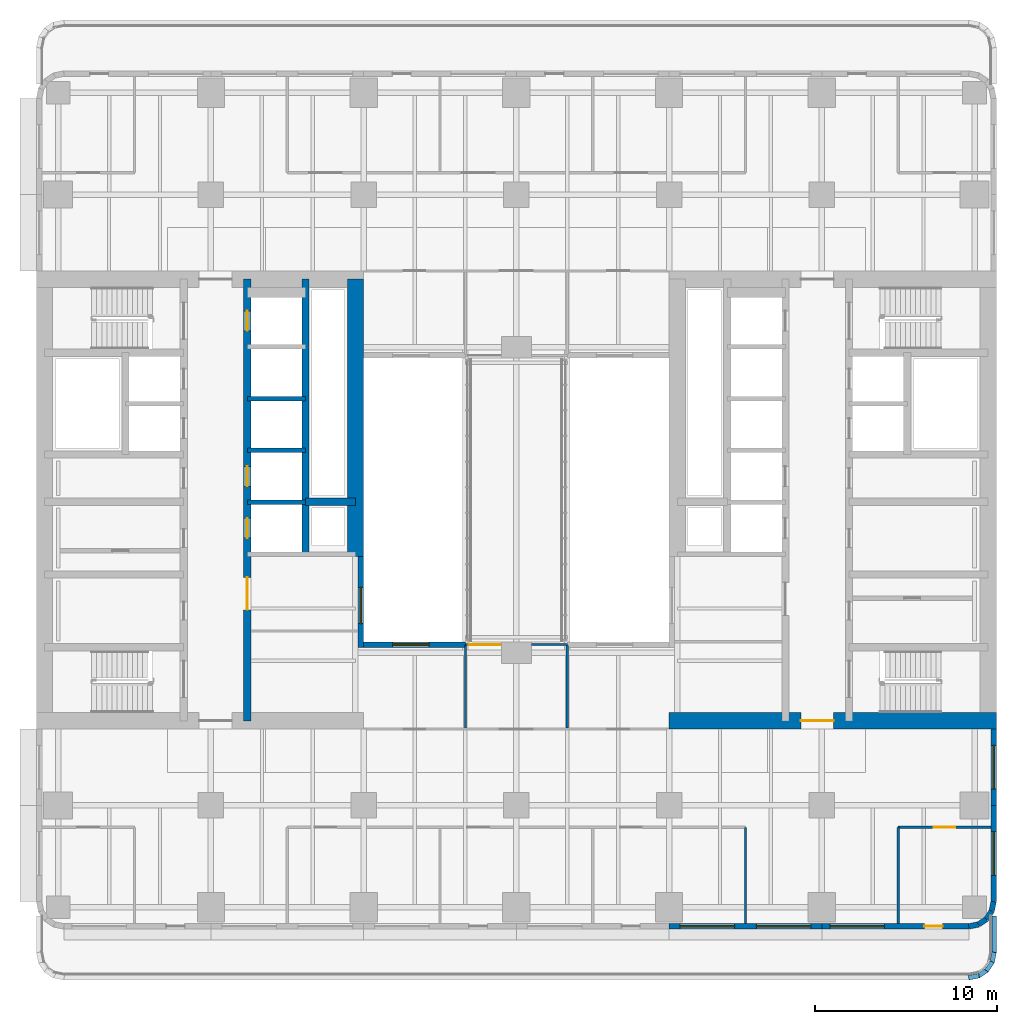
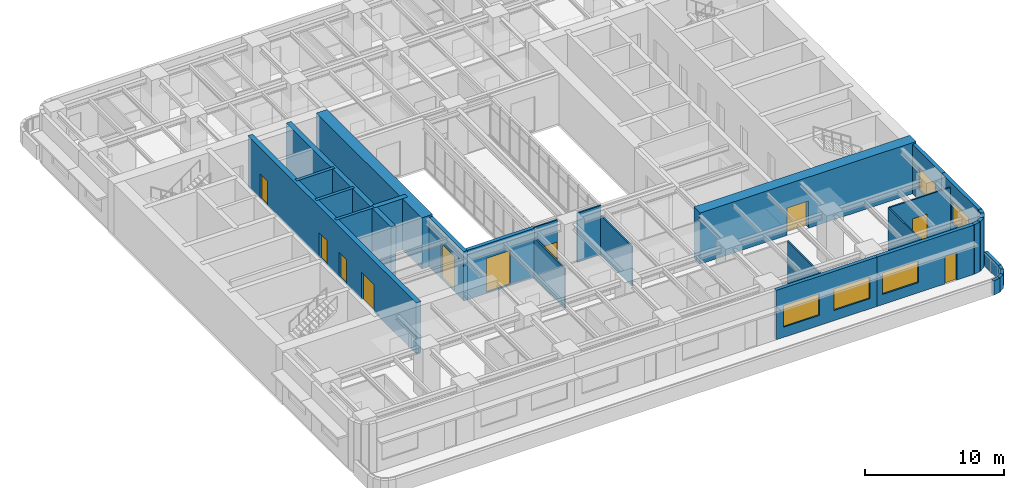
# One storey, part 9 of 17: 30 walls, 8 doors, 7 windows, 15 openings.
"""IFC4 building model written with IfcOpenShell, lengths in metres."""

from ifc_helpers import new_model, si_unit, direction, frame, frame_2d, origin, place, context, subcontext, project, spatial, rectangle, extrude, material, layer, layer_set, type_object, element, fill, save


model = new_model("IFC4")

# Units and contexts
model_context = context("Model", 3, precision=1e-05, world=origin(), true_north=direction((0.0, 1.0)))
body_context = subcontext(model_context, "Body", "Model", "MODEL_VIEW")
ifc_project = project(units=[si_unit("LENGTHUNIT", "METRE"), si_unit("AREAUNIT", "SQUARE_METRE"), si_unit("VOLUMEUNIT", "CUBIC_METRE"), si_unit("PLANEANGLEUNIT", "RADIAN"), si_unit("MASSUNIT", "GRAM", prefix="KILO")], contexts=[model_context])

# Site, building, storey
site_placement = place(None, origin())
site = spatial("IfcSite", under=ifc_project, at=site_placement, CompositionType="ELEMENT")
building_placement = place(site_placement, origin())
building = spatial("IfcBuilding", under=site, at=building_placement, Name="Claustro Exchange Tower", CompositionType="ELEMENT")
storey_placement = place(building_placement, frame((0.0, 0.0, 96.300048828125)))
storey = spatial("IfcBuildingStorey", under=building, at=storey_placement, Name="L21", CompositionType="ELEMENT", Elevation=96.300048828125)

# Wall, opening, door
ifc_material_1 = material(Name="Aluminium frame, clear double glazing", Category="aluminium")
ifc_layer_1 = layer(ifc_material_1, 0.1201171875)
ifc_layer_set_1 = layer_set([ifc_layer_1], Name="Aluminium frame, clear double glazing")
wall_type_1 = type_object("IfcWallType", Name="GS2 120 glazed bridge screen", PredefinedType="SOLIDWALL", material=ifc_layer_set_1)
wall_1_placement = place(storey_placement, frame((22.39990234375, 17.25, 0.0), z_axis=(0.0, 0.0, 1.0), x_axis=(1.0, 0.0, 0.0)))
wall_1 = element("IfcWall", 1, at=wall_1_placement, inside=storey, type_object=wall_type_1, Name="Bridge screen GS2 L21", PredefinedType="SOLIDWALL", context=body_context, shape_type="SweptSolid", body=[
    extrude(rectangle(XDim=1.97509765625, YDim=0.1201171875, at=frame_2d((0.987548828125, 0.0))), origin(), (0.0, 0.0, 1.0), 4.349853515625),
])
opening_1_placement = place(wall_1_placement, frame((0.14990234375, 0.0, 0.0)))
opening_1 = element("IfcOpeningElement", 2, at=opening_1_placement, cuts=wall_1, Name="Opening DE4", PredefinedType="OPENING", context=body_context, shape_type="SweptSolid", body=[
    extrude(rectangle(XDim=1.800048828125, YDim=2.39990234375, at=frame_2d((0.89990234375, 1.199951171875))), frame((0.0, 0.070068359375, 0.0), z_axis=(0.0, -1.0, 0.0), x_axis=(1.0, 0.0, 0.0)), (0.0, 0.0, 1.0), 0.14013671875),
])
ifc_material_2 = material(Name="Aluminium frame, clear double glazing", Category="aluminium")
door_type_1 = type_object("IfcDoorType", Name="DE4 1800 x 2400 sky bridge glazed double door", OperationType="DOUBLE_DOOR_SINGLE_SWING", PredefinedType="DOOR", material=ifc_material_2)
door_1_placement = place(opening_1_placement, origin())
door_1 = element("IfcDoor", 3, at=door_1_placement, inside=storey, type_object=door_type_1, Name="Sky bridge door DE4 L21", OperationType="DOUBLE_DOOR_SINGLE_SWING", OverallHeight=2.39990234375, OverallWidth=1.800048828125, PredefinedType="DOOR", context=body_context, shape_type="SweptSolid", body=[
    extrude(rectangle(XDim=1.800048828125, YDim=2.39990234375, at=frame_2d((0.89990234375, 1.199951171875))), frame((0.0, 0.02490234375, 0.0), z_axis=(0.0, -1.0, 0.0), x_axis=(1.0, 0.0, 0.0)), (0.0, 0.0, 1.0), 0.050048828125),
])
fill(opening_1, door_1)

# Walls
wall_2_placement = place(storey_placement, frame((26.02490234375, 17.25, 0.0), z_axis=(0.0, 0.0, 1.0), x_axis=(1.0, 0.0, 0.0)))
element("IfcWall", 4, at=wall_2_placement, inside=storey, type_object=wall_type_1, Name="Bridge screen GS2 L21", PredefinedType="SOLIDWALL", context=body_context, shape_type="SweptSolid", body=[
    extrude(rectangle(XDim=1.97509765625, YDim=0.1201171875, at=frame_2d((0.987548828125, 0.0))), origin(), (0.0, 0.0, 1.0), 4.349853515625),
])
ifc_material_3 = material(Name="Laminated glass in aluminium frame", Category="aluminium")
ifc_layer_2 = layer(ifc_material_3, 0.1201171875)
ifc_layer_set_2 = layer_set([ifc_layer_2], Name="Laminated glass in aluminium frame")
wall_type_2 = type_object("IfcWallType", Name="P2 120 glazed partition", PredefinedType="PARTITIONING", material=ifc_layer_set_2)
wall_3_placement = place(storey_placement, frame((37.800048828125, 1.89794921875, 0.0), z_axis=(0.0, 0.0, 1.0), x_axis=(0.0, 1.0, 0.0)))
element("IfcWall", 5, at=wall_3_placement, inside=storey, type_object=wall_type_2, Name="Partition P2 L21", PredefinedType="PARTITIONING", context=body_context, shape_type="SweptSolid", body=[
    extrude(rectangle(XDim=5.302001953125, YDim=0.1201171875, at=frame_2d((2.65087890625, 0.0))), origin(), (0.0, 0.0, 1.0), 3.85986328125),
])

# Wall, opening, door
wall_4_placement = place(storey_placement, frame((46.199951171875, 7.199951171875, 0.0), z_axis=(0.0, 0.0, 1.0), x_axis=(1.0, 0.0, 0.0)))
wall_4 = element("IfcWall", 6, at=wall_4_placement, inside=storey, type_object=wall_type_2, Name="Partition P2 L21", PredefinedType="PARTITIONING", context=body_context, shape_type="SweptSolid", body=[
    extrude(rectangle(XDim=5.10205078125, YDim=0.1201171875, at=frame_2d((2.551025390625, 0.0))), origin(), (0.0, 0.0, 1.0), 3.85986328125),
])
opening_2_placement = place(wall_4_placement, frame((1.949951171875, 0.0, 0.0)))
opening_2 = element("IfcOpeningElement", 7, at=opening_2_placement, cuts=wall_4, Name="Opening D6", PredefinedType="OPENING", context=body_context, shape_type="SweptSolid", body=[
    extrude(rectangle(XDim=1.199951171875, YDim=2.199951171875, at=frame_2d((0.60009765625, 1.10009765625))), frame((0.0, 0.070068359375, 0.0), z_axis=(0.0, -1.0, 0.0), x_axis=(1.0, 0.0, 0.0)), (0.0, 0.0, 1.0), 0.14013671875),
])
ifc_material_4 = material(Name="Timber door, oak veneer", Category="wood")
door_type_2 = type_object("IfcDoorType", Name="D6 1200 x 2200 unequal pair door", OperationType="DOUBLE_DOOR_SINGLE_SWING_OPPOSITE_LEFT", PredefinedType="DOOR", material=ifc_material_4)
door_2_placement = place(opening_2_placement, origin())
door_2 = element("IfcDoor", 8, at=door_2_placement, inside=storey, type_object=door_type_2, Name="Door D6 L21", OperationType="DOUBLE_DOOR_SINGLE_SWING_OPPOSITE_LEFT", OverallHeight=2.199951171875, OverallWidth=1.199951171875, PredefinedType="DOOR", context=body_context, shape_type="SweptSolid", body=[
    extrude(rectangle(XDim=1.199951171875, YDim=2.199951171875, at=frame_2d((0.60009765625, 1.10009765625))), frame((0.0, 0.02490234375, 0.0), z_axis=(0.0, -1.0, 0.0), x_axis=(1.0, 0.0, 0.0)), (0.0, 0.0, 1.0), 0.050048828125),
])
fill(opening_2, door_2)

# Walls
wall_5_placement = place(storey_placement, frame((46.199951171875, 1.89794921875, 0.0), z_axis=(0.0, 0.0, 1.0), x_axis=(0.0, 1.0, 0.0)))
element("IfcWall", 9, at=wall_5_placement, inside=storey, type_object=wall_type_2, Name="Partition P2 L21", PredefinedType="PARTITIONING", context=body_context, shape_type="SweptSolid", body=[
    extrude(rectangle(XDim=5.302001953125, YDim=0.1201171875, at=frame_2d((2.65087890625, 0.0))), origin(), (0.0, 0.0, 1.0), 3.85986328125),
])
for number, where, z_axis, x_axis, name in (
    (10, (22.39990234375, 12.657958984375, 0.0), (0.0, 0.0, 1.0), (0.0, 1.0, 0.0), "Partition P2 L21"),
    (11, (28.0, 12.657958984375, 0.0), (0.0, 0.0, 1.0), (0.0, 1.0, 0.0), "Partition P2 L21"),
):
    element("IfcWall", number, at=place(storey_placement, frame(where, z_axis=z_axis, x_axis=x_axis)), inside=storey, type_object=wall_type_2, Name=name, PredefinedType="PARTITIONING", context=body_context, shape_type="SweptSolid", body=[
        extrude(rectangle(XDim=4.533935546875, YDim=0.1201171875, at=frame_2d((2.26708984375, 0.0))), origin(), (0.0, 0.0, 1.0), 3.5),
    ])

# Wall, openings, door, window
ifc_material_5 = material(Name="Concrete HA-40 (C40/50), precast, white cement, acid-etched", Category="concrete")
ifc_layer_3 = layer(ifc_material_5, 0.300048828125)
ifc_layer_set_3 = layer_set([ifc_layer_3], Name="Concrete HA-40 (C40/50), precast, white cement, acid-etched")
wall_type_3 = type_object("IfcWallType", Name="PC1 300 precast concrete pier panel", PredefinedType="SOLIDWALL", material=ifc_layer_set_3)
wall_6_placement = place(storey_placement, frame((50.085205078125, 1.75, 0.0), z_axis=(0.0, 0.0, 1.0), x_axis=(-1.0, 0.0, 0.0)))
wall_6 = element("IfcWall", 12, at=wall_6_placement, inside=storey, type_object=wall_type_3, Name="Precast pier panel PC1 L21", PredefinedType="SOLIDWALL", context=body_context, shape_type="SweptSolid", body=[
    extrude(rectangle(XDim=8.085205078125, YDim=0.300048828125, at=frame_2d((4.04248046875, 0.0))), origin(), (0.0, 0.0, 1.0), 4.349853515625),
])
opening_3_placement = place(wall_6_placement, frame((4.642578125, 0.0, 0.89990234375)))
opening_3 = element("IfcOpeningElement", 13, at=opening_3_placement, cuts=wall_6, Name="Opening W1", PredefinedType="OPENING", context=body_context, shape_type="SweptSolid", body=[
    extrude(rectangle(XDim=3.0, YDim=1.89990234375, at=frame_2d((1.5, 0.949951171875))), frame((0.0, 0.159912109375, 0.0), z_axis=(0.0, -1.0, 0.0), x_axis=(1.0, 0.0, 0.0)), (0.0, 0.0, 1.0), 0.320068359375),
])
opening_4_placement = place(wall_6_placement, frame((1.442626953125, 0.0, 0.0)))
opening_4 = element("IfcOpeningElement", 14, at=opening_4_placement, cuts=wall_6, Name="Opening D-T", PredefinedType="OPENING", context=body_context, shape_type="SweptSolid", body=[
    extrude(rectangle(XDim=1.0, YDim=2.39990234375, at=frame_2d((0.5, 1.199951171875))), frame((0.0, 0.159912109375, 0.0), z_axis=(0.0, -1.0, 0.0), x_axis=(1.0, 0.0, 0.0)), (0.0, 0.0, 1.0), 0.320068359375),
])
ifc_material_6 = material(Name="Aluminium frame, clear double glazing", Category="aluminium")
door_type_3 = type_object("IfcDoorType", Name="D-T 1000 x 2400 terrace door", OperationType="SINGLE_SWING_LEFT", PredefinedType="DOOR", material=ifc_material_6)
door_3_placement = place(opening_4_placement, origin())
door_3 = element("IfcDoor", 15, at=door_3_placement, inside=storey, type_object=door_type_3, Name="Terrace door D-T L21", OperationType="SINGLE_SWING_LEFT", OverallHeight=2.39990234375, OverallWidth=1.0, PredefinedType="DOOR", context=body_context, shape_type="SweptSolid", body=[
    extrude(rectangle(XDim=1.0, YDim=2.39990234375, at=frame_2d((0.5, 1.199951171875))), frame((0.0, 0.02490234375, 0.0), z_axis=(0.0, -1.0, 0.0), x_axis=(1.0, 0.0, 0.0)), (0.0, 0.0, 1.0), 0.050048828125),
])
fill(opening_4, door_3)
ifc_material_7 = material(Name="Aluminium frame, clear double glazing", Category="aluminium")
window_type_1 = type_object("IfcWindowType", Name="W1 3000 x 1900 window", PartitioningType="SINGLE_PANEL", PredefinedType="WINDOW", material=ifc_material_7)
window_1_placement = place(opening_3_placement, origin())
window_1 = element("IfcWindow", 16, at=window_1_placement, inside=storey, type_object=window_type_1, Name="Window W1 L21", OverallHeight=1.89990234375, OverallWidth=3.0, PartitioningType="SINGLE_PANEL", PredefinedType="WINDOW", context=body_context, shape_type="SweptSolid", body=[
    extrude(rectangle(XDim=3.0, YDim=1.89990234375, at=frame_2d((1.5, 0.949951171875))), frame((0.0, 0.030029296875, 0.0), z_axis=(0.0, -1.0, 0.0), x_axis=(1.0, 0.0, 0.0)), (0.0, 0.0, 1.0), 0.06005859375),
])
fill(opening_3, window_1)

# Wall, openings, windows
wall_7_placement = place(storey_placement, frame((42.0, 1.75, 0.0), z_axis=(0.0, 0.0, 1.0), x_axis=(-1.0, 0.0, 0.0)))
wall_7 = element("IfcWall", 17, at=wall_7_placement, inside=storey, type_object=wall_type_3, Name="Precast pier panel PC1 L21", PredefinedType="SOLIDWALL", context=body_context, shape_type="SweptSolid", body=[
    extrude(rectangle(XDim=8.39990234375, YDim=0.300048828125, at=frame_2d((4.199951171875, 0.0))), origin(), (0.0, 0.0, 1.0), 4.349853515625),
])
opening_5_placement = place(wall_7_placement, frame((0.60009765625, 0.0, 0.89990234375)))
opening_5 = element("IfcOpeningElement", 18, at=opening_5_placement, cuts=wall_7, Name="Opening W1", PredefinedType="OPENING", context=body_context, shape_type="SweptSolid", body=[
    extrude(rectangle(XDim=3.0, YDim=1.89990234375, at=frame_2d((1.5, 0.949951171875))), frame((0.0, 0.159912109375, 0.0), z_axis=(0.0, -1.0, 0.0), x_axis=(1.0, 0.0, 0.0)), (0.0, 0.0, 1.0), 0.320068359375),
])
opening_6_placement = place(wall_7_placement, frame((4.800048828125, 0.0, 0.89990234375)))
opening_6 = element("IfcOpeningElement", 19, at=opening_6_placement, cuts=wall_7, Name="Opening W1", PredefinedType="OPENING", context=body_context, shape_type="SweptSolid", body=[
    extrude(rectangle(XDim=3.0, YDim=1.89990234375, at=frame_2d((1.5, 0.949951171875))), frame((0.0, 0.159912109375, 0.0), z_axis=(0.0, -1.0, 0.0), x_axis=(1.0, 0.0, 0.0)), (0.0, 0.0, 1.0), 0.320068359375),
])
window_2_placement = place(opening_5_placement, origin())
window_2 = element("IfcWindow", 20, at=window_2_placement, inside=storey, type_object=window_type_1, Name="Window W1 L21", OverallHeight=1.89990234375, OverallWidth=3.0, PartitioningType="SINGLE_PANEL", PredefinedType="WINDOW", context=body_context, shape_type="SweptSolid", body=[
    extrude(rectangle(XDim=3.0, YDim=1.89990234375, at=frame_2d((1.5, 0.949951171875))), frame((0.0, 0.030029296875, 0.0), z_axis=(0.0, -1.0, 0.0), x_axis=(1.0, 0.0, 0.0)), (0.0, 0.0, 1.0), 0.06005859375),
])
fill(opening_5, window_2)
window_3_placement = place(opening_6_placement, origin())
window_3 = element("IfcWindow", 21, at=window_3_placement, inside=storey, type_object=window_type_1, Name="Window W1 L21", OverallHeight=1.89990234375, OverallWidth=3.0, PartitioningType="SINGLE_PANEL", PredefinedType="WINDOW", context=body_context, shape_type="SweptSolid", body=[
    extrude(rectangle(XDim=3.0, YDim=1.89990234375, at=frame_2d((1.5, 0.949951171875))), frame((0.0, 0.030029296875, 0.0), z_axis=(0.0, -1.0, 0.0), x_axis=(1.0, 0.0, 0.0)), (0.0, 0.0, 1.0), 0.06005859375),
])
fill(opening_6, window_3)

# Wall, opening, window
wall_8_placement = place(storey_placement, frame((51.449951171875, 12.60009765625, 0.0), z_axis=(0.0, 0.0, 1.0), x_axis=(0.0, -1.0, 0.0)))
wall_8 = element("IfcWall", 22, at=wall_8_placement, inside=storey, type_object=wall_type_3, Name="Precast pier panel PC1 L21", PredefinedType="SOLIDWALL", context=body_context, shape_type="SweptSolid", body=[
    extrude(rectangle(XDim=4.2001953125, YDim=0.300048828125, at=frame_2d((2.10009765625, 0.0))), origin(), (0.0, 0.0, 1.0), 4.349853515625),
])
opening_7_placement = place(wall_8_placement, frame((0.89990234375, 0.0, 0.89990234375)))
opening_7 = element("IfcOpeningElement", 23, at=opening_7_placement, cuts=wall_8, Name="Opening W2", PredefinedType="OPENING", context=body_context, shape_type="SweptSolid", body=[
    extrude(rectangle(XDim=2.39990234375, YDim=1.89990234375, at=frame_2d((1.199951171875, 0.949951171875))), frame((0.0, 0.159912109375, 0.0), z_axis=(0.0, -1.0, 0.0), x_axis=(1.0, 0.0, 0.0)), (0.0, 0.0, 1.0), 0.320068359375),
])
ifc_material_8 = material(Name="Aluminium frame, clear double glazing", Category="aluminium")
window_type_2 = type_object("IfcWindowType", Name="W2 2400 x 1900 window", PartitioningType="SINGLE_PANEL", PredefinedType="WINDOW", material=ifc_material_8)
window_4_placement = place(opening_7_placement, origin())
window_4 = element("IfcWindow", 24, at=window_4_placement, inside=storey, type_object=window_type_2, Name="Window W2 L21", OverallHeight=1.89990234375, OverallWidth=2.39990234375, PartitioningType="SINGLE_PANEL", PredefinedType="WINDOW", context=body_context, shape_type="SweptSolid", body=[
    extrude(rectangle(XDim=2.39990234375, YDim=1.89990234375, at=frame_2d((1.199951171875, 0.949951171875))), frame((0.0, 0.030029296875, 0.0), z_axis=(0.0, -1.0, 0.0), x_axis=(1.0, 0.0, 0.0)), (0.0, 0.0, 1.0), 0.06005859375),
])
fill(opening_7, window_4)

wall_9_placement = place(storey_placement, frame((51.449951171875, 8.39990234375, 0.0), z_axis=(0.0, 0.0, 1.0), x_axis=(0.0, -1.0, 0.0)))
wall_9 = element("IfcWall", 25, at=wall_9_placement, inside=storey, type_object=wall_type_3, Name="Precast pier panel PC1 L21", PredefinedType="SOLIDWALL", context=body_context, shape_type="SweptSolid", body=[
    extrude(rectangle(XDim=5.28515625, YDim=0.300048828125, at=frame_2d((2.642578125, 0.0))), origin(), (0.0, 0.0, 1.0), 4.349853515625),
])
opening_8_placement = place(wall_9_placement, frame((1.442626953125, 0.0, 0.89990234375)))
opening_8 = element("IfcOpeningElement", 26, at=opening_8_placement, cuts=wall_9, Name="Opening W2", PredefinedType="OPENING", context=body_context, shape_type="SweptSolid", body=[
    extrude(rectangle(XDim=2.39990234375, YDim=1.89990234375, at=frame_2d((1.199951171875, 0.949951171875))), frame((0.0, 0.159912109375, 0.0), z_axis=(0.0, -1.0, 0.0), x_axis=(1.0, 0.0, 0.0)), (0.0, 0.0, 1.0), 0.320068359375),
])
window_5_placement = place(opening_8_placement, origin())
window_5 = element("IfcWindow", 27, at=window_5_placement, inside=storey, type_object=window_type_2, Name="Window W2 L21", OverallHeight=1.89990234375, OverallWidth=2.39990234375, PartitioningType="SINGLE_PANEL", PredefinedType="WINDOW", context=body_context, shape_type="SweptSolid", body=[
    extrude(rectangle(XDim=2.39990234375, YDim=1.89990234375, at=frame_2d((1.199951171875, 0.949951171875))), frame((0.0, 0.030029296875, 0.0), z_axis=(0.0, -1.0, 0.0), x_axis=(1.0, 0.0, 0.0)), (0.0, 0.0, 1.0), 0.06005859375),
])
fill(opening_8, window_5)

# Walls
wall_10_placement = place(storey_placement, frame((51.449951171875, 3.11474609375, 0.0), z_axis=(0.0, 0.0, 1.0), x_axis=(-0.195073962632, -0.980788534345, 0.0)))
element("IfcWall", 28, at=wall_10_placement, inside=storey, type_object=wall_type_3, Name="Precast pier panel PC1 L21", PredefinedType="SOLIDWALL", context=body_context, shape_type="SweptSolid", body=[
    extrude(rectangle(XDim=0.540771484375, YDim=0.300048828125, at=frame_2d((0.2705078125, 0.0))), origin(), (0.0, 0.0, 1.0), 4.349853515625),
])
for number, where, z_axis, x_axis, name in (
    (29, (51.344482421875, 2.58447265625, 0.0), (0.0, 0.0, 1.0), (-0.555557463938, -0.831478144188, 0.0), "Precast pier panel PC1 L21"),
    (30, (51.052490234375, 2.1474609375, 0.0), (0.0, 0.0, 1.0), (-0.831478144188, -0.555557463938, 0.0), "Precast pier panel PC1 L21"),
):
    element("IfcWall", number, at=place(storey_placement, frame(where, z_axis=z_axis, x_axis=x_axis)), inside=storey, type_object=wall_type_3, Name=name, PredefinedType="SOLIDWALL", context=body_context, shape_type="SweptSolid", body=[
        extrude(rectangle(XDim=0.525634765625, YDim=0.300048828125, at=frame_2d((0.2626953125, 0.0))), origin(), (0.0, 0.0, 1.0), 4.349853515625),
    ])
wall_11_placement = place(storey_placement, frame((50.615478515625, 1.85546875, 0.0), z_axis=(0.0, 0.0, 1.0), x_axis=(-0.980788534345, -0.195073962632, 0.0)))
element("IfcWall", 31, at=wall_11_placement, inside=storey, type_object=wall_type_3, Name="Precast pier panel PC1 L21", PredefinedType="SOLIDWALL", context=body_context, shape_type="SweptSolid", body=[
    extrude(rectangle(XDim=0.540771484375, YDim=0.300048828125, at=frame_2d((0.2705078125, 0.0))), origin(), (0.0, 0.0, 1.0), 4.349853515625),
])

# Wall, opening, window
wall_12_placement = place(storey_placement, frame((16.64990234375, 17.10009765625, 0.0), z_axis=(0.0, 0.0, 1.0), x_axis=(0.0, 1.0, 0.0)))
wall_12 = element("IfcWall", 32, at=wall_12_placement, inside=storey, type_object=wall_type_3, Name="Precast pier panel PC1 L21", PredefinedType="SOLIDWALL", context=body_context, shape_type="SweptSolid", body=[
    extrude(rectangle(XDim=5.0, YDim=0.300048828125, at=frame_2d((2.5, 0.0))), origin(), (0.0, 0.0, 1.0), 4.349853515625),
])
opening_9_placement = place(wall_12_placement, frame((1.300048828125, 0.0, 0.10009765625)))
opening_9 = element("IfcOpeningElement", 33, at=opening_9_placement, cuts=wall_12, Name="Opening W-A", PredefinedType="OPENING", context=body_context, shape_type="SweptSolid", body=[
    extrude(rectangle(XDim=2.0, YDim=3.0, at=frame_2d((1.0, 1.5))), frame((0.0, 0.159912109375, 0.0), z_axis=(0.0, -1.0, 0.0), x_axis=(1.0, 0.0, 0.0)), (0.0, 0.0, 1.0), 0.320068359375),
])
ifc_material_9 = material(Name="Aluminium frame, clear double glazing", Category="aluminium")
window_type_3 = type_object("IfcWindowType", Name="W-A 2000 x 3000 arcade window", PartitioningType="SINGLE_PANEL", PredefinedType="WINDOW", material=ifc_material_9)
window_6_placement = place(opening_9_placement, origin())
window_6 = element("IfcWindow", 34, at=window_6_placement, inside=storey, type_object=window_type_3, Name="Window W-A L21", OverallHeight=3.0, OverallWidth=2.0, PartitioningType="SINGLE_PANEL", PredefinedType="WINDOW", context=body_context, shape_type="SweptSolid", body=[
    extrude(rectangle(XDim=2.0, YDim=3.0, at=frame_2d((1.0, 1.5))), frame((0.0, 0.030029296875, 0.0), z_axis=(0.0, -1.0, 0.0), x_axis=(1.0, 0.0, 0.0)), (0.0, 0.0, 1.0), 0.06005859375),
])
fill(opening_9, window_6)

wall_13_placement = place(storey_placement, frame((16.800048828125, 17.25, 0.0), z_axis=(0.0, 0.0, 1.0), x_axis=(1.0, 0.0, 0.0)))
wall_13 = element("IfcWall", 35, at=wall_13_placement, inside=storey, type_object=wall_type_3, Name="Precast pier panel PC1 L21", PredefinedType="SOLIDWALL", context=body_context, shape_type="SweptSolid", body=[
    extrude(rectangle(XDim=5.599853515625, YDim=0.300048828125, at=frame_2d((2.7998046875, 0.0))), origin(), (0.0, 0.0, 1.0), 4.349853515625),
])
opening_10_placement = place(wall_13_placement, frame((1.60009765625, 0.0, 0.10009765625)))
opening_10 = element("IfcOpeningElement", 36, at=opening_10_placement, cuts=wall_13, Name="Opening W-A", PredefinedType="OPENING", context=body_context, shape_type="SweptSolid", body=[
    extrude(rectangle(XDim=2.0, YDim=3.0, at=frame_2d((1.0, 1.5))), frame((0.0, 0.159912109375, 0.0), z_axis=(0.0, -1.0, 0.0), x_axis=(1.0, 0.0, 0.0)), (0.0, 0.0, 1.0), 0.320068359375),
])
window_7_placement = place(opening_10_placement, origin())
window_7 = element("IfcWindow", 37, at=window_7_placement, inside=storey, type_object=window_type_3, Name="Window W-A L21", OverallHeight=3.0, OverallWidth=2.0, PartitioningType="SINGLE_PANEL", PredefinedType="WINDOW", context=body_context, shape_type="SweptSolid", body=[
    extrude(rectangle(XDim=2.0, YDim=3.0, at=frame_2d((1.0, 1.5))), frame((0.0, 0.030029296875, 0.0), z_axis=(0.0, -1.0, 0.0), x_axis=(1.0, 0.0, 0.0)), (0.0, 0.0, 1.0), 0.06005859375),
])
fill(opening_10, window_7)

# Walls
ifc_material_10 = material(Name="Concrete HA-40 (C40/50), precast, white cement, acid-etched", Category="concrete")
ifc_layer_4 = layer(ifc_material_10, 0.25)
ifc_layer_set_4 = layer_set([ifc_layer_4], Name="Concrete HA-40 (C40/50), precast, white cement, acid-etched")
wall_type_4 = type_object("IfcWallType", Name="PP1 250 precast concrete parapet", PredefinedType="PARAPET", material=ifc_layer_set_4)
wall_14_placement = place(storey_placement, frame((51.47509765625, 2.3232421875, -0.16015625), z_axis=(0.0, 0.0, 1.0), x_axis=(0.0, -1.0, 0.0)))
element("IfcWall", 38, at=wall_14_placement, inside=storey, type_object=wall_type_4, Name="Parapet PP1 roof at +96.140", PredefinedType="PARAPET", context=body_context, shape_type="SweptSolid", body=[
    extrude(rectangle(XDim=2.023193359375, YDim=0.25, at=frame_2d((1.01171875, 0.0))), origin(), (0.0, 0.0, 1.0), 1.260009765625),
])
for number, where, z_axis, x_axis, name in (
    (39, (51.477294921875, 0.324462890625, -0.16015625), (0.0, 0.0, 1.0), (-0.1948322756, -0.980836573739, 0.0), "Parapet PP1 roof at +96.140"),
    (40, (51.3818359375, -0.20458984375, -0.16015625), (0.0, 0.0, 1.0), (-0.555181391115, -0.831729296682, 0.0), "Parapet PP1 roof at +96.140"),
):
    element("IfcWall", number, at=place(storey_placement, frame(where, z_axis=z_axis, x_axis=x_axis)), inside=storey, type_object=wall_type_4, Name=name, PredefinedType="PARAPET", context=body_context, shape_type="SweptSolid", body=[
        extrude(rectangle(XDim=0.585205078125, YDim=0.25, at=frame_2d((0.29248046875, 0.0))), origin(), (0.0, 0.0, 1.0), 1.260009765625),
    ])
wall_15_placement = place(storey_placement, frame((51.09130859375, -0.65673828125, -0.16015625), z_axis=(0.0, 0.0, 1.0), x_axis=(-0.831536683512, -0.555469840741, 0.0)))
element("IfcWall", 41, at=wall_15_placement, inside=storey, type_object=wall_type_4, Name="Parapet PP1 roof at +96.140", PredefinedType="PARAPET", context=body_context, shape_type="SweptSolid", body=[
    extrude(rectangle(XDim=0.58544921875, YDim=0.25, at=frame_2d((0.292724609375, 0.0))), origin(), (0.0, 0.0, 1.0), 1.260009765625),
])
wall_16_placement = place(storey_placement, frame((50.649658203125, -0.963134765625, -0.16015625), z_axis=(0.0, 0.0, 1.0), x_axis=(-0.980756771825, -0.195233589627, 0.0)))
element("IfcWall", 42, at=wall_16_placement, inside=storey, type_object=wall_type_4, Name="Parapet PP1 roof at +96.140", PredefinedType="PARAPET", context=body_context, shape_type="SweptSolid", body=[
    extrude(rectangle(XDim=0.585205078125, YDim=0.25, at=frame_2d((0.29248046875, 0.0))), origin(), (0.0, 0.0, 1.0), 1.260009765625),
])

# Wall, opening, door
ifc_material_11 = material(Name="Concrete HA-70 (C70/85)", Category="concrete")
ifc_layer_5 = layer(ifc_material_11, 0.89990234375)
ifc_layer_set_5 = layer_set([ifc_layer_5], Name="Concrete HA-70 (C70/85)")
wall_type_5 = type_object("IfcWallType", Name="SW1 900 core shear wall", PredefinedType="SHEAR", material=ifc_layer_set_5)
wall_17_placement = place(storey_placement, frame((33.60009765625, 13.050048828125, 0.0), z_axis=(0.0, 0.0, 1.0), x_axis=(1.0, 0.0, 0.0)))
wall_17 = element("IfcWall", 43, at=wall_17_placement, inside=storey, type_object=wall_type_5, Name="Core wall SW1 E core S face L21", PredefinedType="SHEAR", context=body_context, shape_type="SweptSolid", body=[
    extrude(rectangle(XDim=18.0, YDim=0.89990234375, at=frame_2d((9.0, 0.0))), origin(), (0.0, 0.0, 1.0), 4.5),
])
opening_11_placement = place(wall_17_placement, frame((7.25, 0.0, 0.0)))
opening_11 = element("IfcOpeningElement", 44, at=opening_11_placement, cuts=wall_17, Name="Opening D3", PredefinedType="OPENING", context=body_context, shape_type="SweptSolid", body=[
    extrude(rectangle(XDim=1.800048828125, YDim=2.39990234375, at=frame_2d((0.89990234375, 1.199951171875))), frame((0.0, 0.4599609375, 0.0), z_axis=(0.0, -1.0, 0.0), x_axis=(1.0, 0.0, 0.0)), (0.0, 0.0, 1.0), 0.919921875),
])
ifc_material_12 = material(Name="Steel fire door, painted", Category="steel")
door_type_4 = type_object("IfcDoorType", Name="D3 1800 x 2400 fire-rated lobby double door", OperationType="DOUBLE_DOOR_SINGLE_SWING", PredefinedType="DOOR", material=ifc_material_12)
door_4_placement = place(opening_11_placement, origin())
door_4 = element("IfcDoor", 45, at=door_4_placement, inside=storey, type_object=door_type_4, Name="Lift lobby door D3 L21", OperationType="DOUBLE_DOOR_SINGLE_SWING", OverallHeight=2.39990234375, OverallWidth=1.800048828125, PredefinedType="DOOR", context=body_context, shape_type="SweptSolid", body=[
    extrude(rectangle(XDim=1.800048828125, YDim=2.39990234375, at=frame_2d((0.89990234375, 1.199951171875))), frame((0.0, 0.02490234375, 0.0), z_axis=(0.0, -1.0, 0.0), x_axis=(1.0, 0.0, 0.0)), (0.0, 0.0, 1.0), 0.050048828125),
])
fill(opening_11, door_4)

# Wall
ifc_material_13 = material(Name="Concrete HA-70 (C70/85)", Category="concrete")
ifc_layer_6 = layer(ifc_material_13, 0.89990234375)
ifc_layer_set_6 = layer_set([ifc_layer_6], Name="Concrete HA-70 (C70/85)")
wall_type_6 = type_object("IfcWallType", Name="SW1X 900 exposed core shear wall, board-marked face", PredefinedType="SHEAR", material=ifc_layer_set_6)
wall_18_placement = place(storey_placement, frame((16.35009765625, 22.10009765625, 0.0), z_axis=(0.0, 0.0, 1.0), x_axis=(0.0, 1.0, 0.0)))
element("IfcWall", 46, at=wall_18_placement, inside=storey, type_object=wall_type_6, Name="Core wall SW1X W core E face L21", PredefinedType="SHEAR", context=body_context, shape_type="SweptSolid", body=[
    extrude(rectangle(XDim=15.25, YDim=0.89990234375, at=frame_2d((7.625, 0.0))), origin(), (0.0, 0.0, 1.0), 4.5),
])

# Wall, openings, doors
ifc_material_14 = material(Name="Concrete HA-50 (C50/60)", Category="concrete")
ifc_layer_7 = layer(ifc_material_14, 0.39990234375)
ifc_layer_set_7 = layer_set([ifc_layer_7], Name="Concrete HA-50 (C50/60)")
wall_type_7 = type_object("IfcWallType", Name="SW4 400 internal core wall", PredefinedType="SHEAR", material=ifc_layer_set_7)
wall_19_placement = place(storey_placement, frame((10.39990234375, 13.050048828125, 0.0), z_axis=(0.0, 0.0, 1.0), x_axis=(0.0, 1.0, 0.0)))
wall_19 = element("IfcWall", 47, at=wall_19_placement, inside=storey, type_object=wall_type_7, Name="Internal core wall SW4 W core L21", PredefinedType="SHEAR", context=body_context, shape_type="SweptSolid", body=[
    extrude(rectangle(XDim=24.300048828125, YDim=0.39990234375, at=frame_2d((12.14990234375, 0.0))), origin(), (0.0, 0.0, 1.0), 4.5),
])
opening_12_placement = place(wall_19_placement, frame((10.050048828125, 0.0, 0.0)))
opening_12 = element("IfcOpeningElement", 48, at=opening_12_placement, cuts=wall_19, Name="Opening LD", PredefinedType="OPENING", context=body_context, shape_type="SweptSolid", body=[
    extrude(rectangle(XDim=1.10009765625, YDim=2.199951171875, at=frame_2d((0.550048828125, 1.10009765625))), frame((0.0, 0.2099609375, 0.0), z_axis=(0.0, -1.0, 0.0), x_axis=(1.0, 0.0, 0.0)), (0.0, 0.0, 1.0), 0.419921875),
])
opening_13_placement = place(wall_19_placement, frame((12.89990234375, 0.0, 0.0)))
opening_13 = element("IfcOpeningElement", 49, at=opening_13_placement, cuts=wall_19, Name="Opening LD", PredefinedType="OPENING", context=body_context, shape_type="SweptSolid", body=[
    extrude(rectangle(XDim=1.10009765625, YDim=2.199951171875, at=frame_2d((0.550048828125, 1.10009765625))), frame((0.0, 0.2099609375, 0.0), z_axis=(0.0, -1.0, 0.0), x_axis=(1.0, 0.0, 0.0)), (0.0, 0.0, 1.0), 0.419921875),
])
opening_14_placement = place(wall_19_placement, frame((21.449951171875, 0.0, 0.0)))
opening_14 = element("IfcOpeningElement", 50, at=opening_14_placement, cuts=wall_19, Name="Opening LD", PredefinedType="OPENING", context=body_context, shape_type="SweptSolid", body=[
    extrude(rectangle(XDim=1.10009765625, YDim=2.199951171875, at=frame_2d((0.550048828125, 1.10009765625))), frame((0.0, 0.2099609375, 0.0), z_axis=(0.0, -1.0, 0.0), x_axis=(1.0, 0.0, 0.0)), (0.0, 0.0, 1.0), 0.419921875),
])
opening_15_placement = place(wall_19_placement, frame((6.10009765625, 0.0, 0.0)))
opening_15 = element("IfcOpeningElement", 51, at=opening_15_placement, cuts=wall_19, Name="Opening D3", PredefinedType="OPENING", context=body_context, shape_type="SweptSolid", body=[
    extrude(rectangle(XDim=1.800048828125, YDim=2.39990234375, at=frame_2d((0.89990234375, 1.199951171875))), frame((0.0, 0.2099609375, 0.0), z_axis=(0.0, -1.0, 0.0), x_axis=(1.0, 0.0, 0.0)), (0.0, 0.0, 1.0), 0.419921875),
])
door_5_placement = place(opening_15_placement, frame((1.800048828125, 0.0, 0.0), z_axis=(0.0, 0.0, 1.0), x_axis=(-1.0, 0.0, 0.0)))
door_5 = element("IfcDoor", 52, at=door_5_placement, inside=storey, type_object=door_type_4, Name="Core zone door D3 L21", OperationType="DOUBLE_DOOR_SINGLE_SWING", OverallHeight=2.39990234375, OverallWidth=1.800048828125, PredefinedType="DOOR", context=body_context, shape_type="SweptSolid", body=[
    extrude(rectangle(XDim=1.800048828125, YDim=2.39990234375, at=frame_2d((0.89990234375, 1.199951171875))), frame((0.0, 0.02490234375, 0.0), z_axis=(0.0, -1.0, 0.0), x_axis=(1.0, 0.0, 0.0)), (0.0, 0.0, 1.0), 0.050048828125),
])
fill(opening_15, door_5)
ifc_material_15 = material(Name="Stainless steel sliding door", Category="steel")
door_type_5 = type_object("IfcDoorType", Name="LD 1100 x 2200 lift landing door", OperationType="DOUBLE_DOOR_SLIDING", PredefinedType="DOOR", material=ifc_material_15)
door_6_placement = place(opening_12_placement, origin())
door_6 = element("IfcDoor", 53, at=door_6_placement, inside=storey, type_object=door_type_5, Name="Lift landing door LMW1 LD L21", OperationType="DOUBLE_DOOR_SLIDING", OverallHeight=2.199951171875, OverallWidth=1.10009765625, PredefinedType="DOOR", context=body_context, shape_type="SweptSolid", body=[
    extrude(rectangle(XDim=1.10009765625, YDim=2.199951171875, at=frame_2d((0.550048828125, 1.10009765625))), frame((0.0, 0.02490234375, 0.0), z_axis=(0.0, -1.0, 0.0), x_axis=(1.0, 0.0, 0.0)), (0.0, 0.0, 1.0), 0.050048828125),
])
fill(opening_12, door_6)
door_7_placement = place(opening_13_placement, origin())
door_7 = element("IfcDoor", 54, at=door_7_placement, inside=storey, type_object=door_type_5, Name="Lift landing door LMW2 LD L21", OperationType="DOUBLE_DOOR_SLIDING", OverallHeight=2.199951171875, OverallWidth=1.10009765625, PredefinedType="DOOR", context=body_context, shape_type="SweptSolid", body=[
    extrude(rectangle(XDim=1.10009765625, YDim=2.199951171875, at=frame_2d((0.550048828125, 1.10009765625))), frame((0.0, 0.02490234375, 0.0), z_axis=(0.0, -1.0, 0.0), x_axis=(1.0, 0.0, 0.0)), (0.0, 0.0, 1.0), 0.050048828125),
])
fill(opening_13, door_7)
door_8_placement = place(opening_14_placement, origin())
door_8 = element("IfcDoor", 55, at=door_8_placement, inside=storey, type_object=door_type_5, Name="Lift landing door LSW1 LD L21", OperationType="DOUBLE_DOOR_SLIDING", OverallHeight=2.199951171875, OverallWidth=1.10009765625, PredefinedType="DOOR", context=body_context, shape_type="SweptSolid", body=[
    extrude(rectangle(XDim=1.10009765625, YDim=2.199951171875, at=frame_2d((0.550048828125, 1.10009765625))), frame((0.0, 0.02490234375, 0.0), z_axis=(0.0, -1.0, 0.0), x_axis=(1.0, 0.0, 0.0)), (0.0, 0.0, 1.0), 0.050048828125),
])
fill(opening_14, door_8)

# Walls
wall_20_placement = place(storey_placement, frame((13.60009765625, 22.22509765625, 0.0), z_axis=(0.0, 0.0, 1.0), x_axis=(0.0, 1.0, 0.0)))
element("IfcWall", 56, at=wall_20_placement, inside=storey, type_object=wall_type_7, Name="Internal core wall SW4 W core L21", PredefinedType="SHEAR", context=body_context, shape_type="SweptSolid", body=[
    extrude(rectangle(XDim=15.125, YDim=0.39990234375, at=frame_2d((7.5625, 0.0))), origin(), (0.0, 0.0, 1.0), 4.5),
])
wall_21_placement = place(storey_placement, frame((13.60009765625, 25.10009765625, 0.0), z_axis=(0.0, 0.0, 1.0), x_axis=(1.0, 0.0, 0.0)))
element("IfcWall", 57, at=wall_21_placement, inside=storey, type_object=wall_type_7, Name="Internal core wall SW4 W core L21", PredefinedType="SHEAR", context=body_context, shape_type="SweptSolid", body=[
    extrude(rectangle(XDim=2.75, YDim=0.39990234375, at=frame_2d((1.375, 0.0))), origin(), (0.0, 0.0, 1.0), 4.5),
])
ifc_material_16 = material(Name="Concrete HA-50 (C50/60)", Category="concrete")
ifc_layer_8 = layer(ifc_material_16, 0.25)
ifc_layer_set_8 = layer_set([ifc_layer_8], Name="Concrete HA-50 (C50/60)")
wall_type_8 = type_object("IfcWallType", Name="SW5 250 lift shaft divider wall", PredefinedType="SHEAR", material=ifc_layer_set_8)
for number, where, z_axis, x_axis, name in (
    (58, (10.39990234375, 25.074951171875, 0.0), (0.0, 0.0, 1.0), (1.0, 0.0, 0.0), "Lift shaft wall W core L21"),
    (59, (10.39990234375, 27.925048828125, 0.0), (0.0, 0.0, 1.0), (1.0, 0.0, 0.0), "Lift shaft wall W core L21"),
    (60, (10.39990234375, 30.77490234375, 0.0), (0.0, 0.0, 1.0), (1.0, 0.0, 0.0), "Lift shaft wall W core L21"),
):
    element("IfcWall", number, at=place(storey_placement, frame(where, z_axis=z_axis, x_axis=x_axis)), inside=storey, type_object=wall_type_8, Name=name, PredefinedType="SHEAR", context=body_context, shape_type="SweptSolid", body=[
        extrude(rectangle(XDim=3.2001953125, YDim=0.25, at=frame_2d((1.60009765625, 0.0))), origin(), (0.0, 0.0, 1.0), 4.5),
    ])

save(model, "model.ifc")
